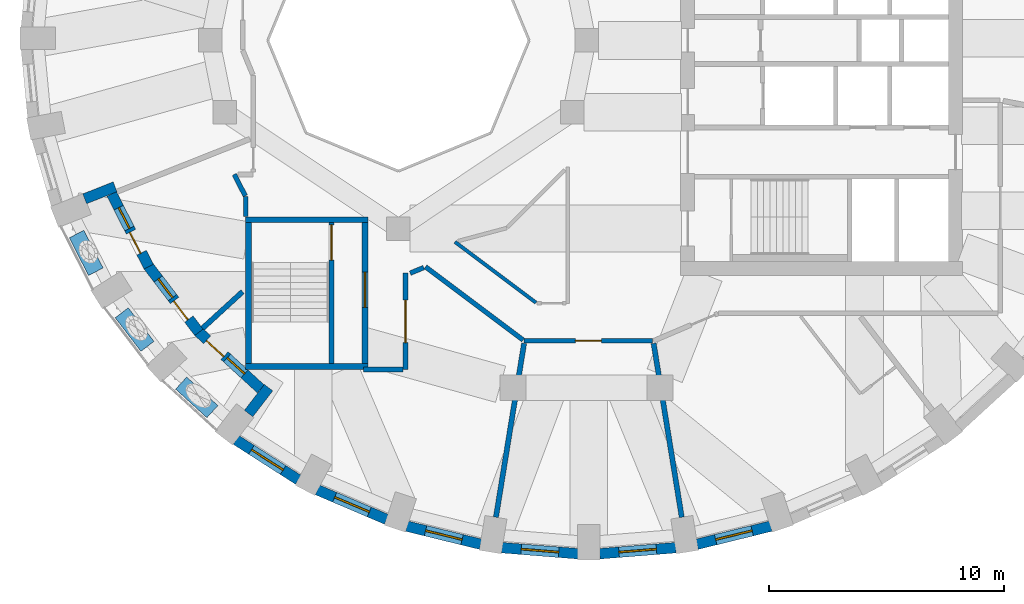
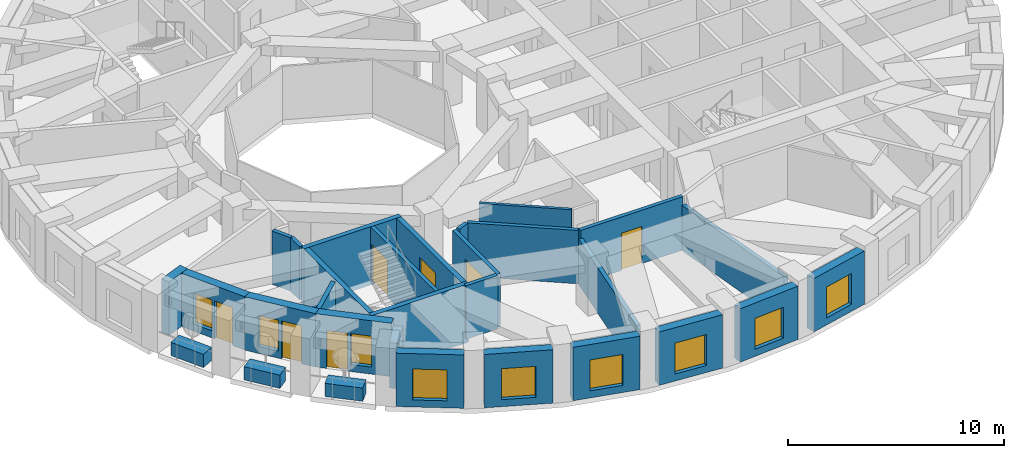
# One storey, part 3 of 11: 30 walls, 9 windows, 7 doors, 16 openings.
"""IFC4 building model written with IfcOpenShell, lengths in metres."""

from ifc_helpers import new_model, si_unit, direction, frame, frame_2d, origin, place, context, subcontext, project, spatial, rectangle, extrude, material, layer, layer_set, constituent, constituent_set, type_object, element, fill, save


model = new_model("IFC4")

# Units and contexts
model_context = context("Model", 3, precision=1e-05, world=origin(), true_north=direction((0.0, 1.0)))
body_context = subcontext(model_context, "Body", "Model", "MODEL_VIEW")
ifc_project = project(units=[si_unit("LENGTHUNIT", "METRE"), si_unit("AREAUNIT", "SQUARE_METRE"), si_unit("VOLUMEUNIT", "CUBIC_METRE"), si_unit("PLANEANGLEUNIT", "RADIAN"), si_unit("MASSUNIT", "GRAM", prefix="KILO")], contexts=[model_context])

# Site, building, storey
site_placement = place(None, origin())
site = spatial("IfcSite", under=ifc_project, at=site_placement, CompositionType="ELEMENT")
building_placement = place(site_placement, origin())
building = spatial("IfcBuilding", under=site, at=building_placement, Name="Taillehof Tower", CompositionType="ELEMENT")
storey_placement = place(building_placement, frame((0.0, 0.0, 174.800048828125)))
storey = spatial("IfcBuildingStorey", under=building, at=storey_placement, Name="L49", CompositionType="ELEMENT", Elevation=174.800048828125)

# Wall, opening, window
ifc_material_1 = material(Name="Brick masonry", Category="masonry")
ifc_layer_1 = layer(ifc_material_1, 0.449951171875)
ifc_layer_set_1 = layer_set([ifc_layer_1], Name="Brick infill wall 450")
wall_type_1 = type_object("IfcWallType", Name="Brick infill wall 450", PredefinedType="SOLIDWALL", material=ifc_layer_set_1)
wall_1_placement = place(storey_placement, frame((-14.908447265625, -16.993408203125, 0.0), z_axis=(0.0, 0.0, 1.0), x_axis=(0.842065914439, -0.539374633943, 0.0)))
wall_1 = element("IfcWall", 1, at=wall_1_placement, inside=storey, type_object=wall_type_1, Name="Brick wall L49 bay 24", PredefinedType="SOLIDWALL", context=body_context, shape_type="SweptSolid", body=[
    extrude(rectangle(XDim=3.1513671875, YDim=0.449951171875, at=frame_2d((1.57568359375, 0.0))), origin(), (0.0, 0.0, 1.0), 3.02001953125),
])
opening_1_placement = place(wall_1_placement, frame((0.775634765625, 0.0, 0.39990234375)))
opening_1 = element("IfcOpeningElement", 2, at=opening_1_placement, cuts=wall_1, Name="Opening W3", PredefinedType="OPENING", context=body_context, shape_type="SweptSolid", body=[
    extrude(rectangle(XDim=1.60009765625, YDim=1.75, at=frame_2d((0.800048828125, 0.875))), frame((0.0, 0.23486328125, 0.0), z_axis=(0.0, -1.0, 0.0), x_axis=(1.0, 0.0, 0.0)), (0.0, 0.0, 1.0), 0.469970703125),
])
ifc_material_2 = material(Name="Aluminium window frame with clear double glazing", Category="aluminium")
window_type_1 = type_object("IfcWindowType", Name="Deep-set window 1600x1750", PartitioningType="SINGLE_PANEL", PredefinedType="WINDOW", material=ifc_material_2)
window_1_placement = place(opening_1_placement, origin())
window_1 = element("IfcWindow", 3, at=window_1_placement, inside=storey, type_object=window_type_1, Name="W3", OverallHeight=1.75, OverallWidth=1.60009765625, PartitioningType="SINGLE_PANEL", PredefinedType="WINDOW", context=body_context, shape_type="SweptSolid", body=[
    extrude(rectangle(XDim=1.60009765625, YDim=1.75, at=frame_2d((0.800048828125, 0.875))), frame((0.0, 0.034912109375, 0.0), z_axis=(0.0, -1.0, 0.0), x_axis=(1.0, 0.0, 0.0)), (0.0, 0.0, 1.0), 0.06005859375),
])
fill(opening_1, window_1)

wall_2_placement = place(storey_placement, frame((-11.4501953125, -19.11865234375, 0.0), z_axis=(0.0, 0.0, 1.0), x_axis=(0.919798725687, -0.392390499663, 0.0)))
wall_2 = element("IfcWall", 4, at=wall_2_placement, inside=storey, type_object=wall_type_1, Name="Brick wall L49 bay 25", PredefinedType="SOLIDWALL", context=body_context, shape_type="SweptSolid", body=[
    extrude(rectangle(XDim=3.200439453125, YDim=0.449951171875, at=frame_2d((1.60009765625, 0.0))), origin(), (0.0, 0.0, 1.0), 3.02001953125),
])
opening_2_placement = place(wall_2_placement, frame((0.80029296875, 0.0, 0.39990234375)))
opening_2 = element("IfcOpeningElement", 5, at=opening_2_placement, cuts=wall_2, Name="Opening W3", PredefinedType="OPENING", context=body_context, shape_type="SweptSolid", body=[
    extrude(rectangle(XDim=1.60009765625, YDim=1.75, at=frame_2d((0.800048828125, 0.875))), frame((0.0, 0.23486328125, 0.0), z_axis=(0.0, -1.0, 0.0), x_axis=(1.0, 0.0, 0.0)), (0.0, 0.0, 1.0), 0.469970703125),
])
window_2_placement = place(opening_2_placement, origin())
window_2 = element("IfcWindow", 6, at=window_2_placement, inside=storey, type_object=window_type_1, Name="W3", OverallHeight=1.75, OverallWidth=1.60009765625, PartitioningType="SINGLE_PANEL", PredefinedType="WINDOW", context=body_context, shape_type="SweptSolid", body=[
    extrude(rectangle(XDim=1.60009765625, YDim=1.75, at=frame_2d((0.800048828125, 0.875))), frame((0.0, 0.034912109375, 0.0), z_axis=(0.0, -1.0, 0.0), x_axis=(1.0, 0.0, 0.0)), (0.0, 0.0, 1.0), 0.06005859375),
])
fill(opening_2, window_2)

wall_3_placement = place(storey_placement, frame((-7.642822265625, -20.662353515625, 0.0), z_axis=(0.0, 0.0, 1.0), x_axis=(0.971232901476, -0.238131583563, 0.0)))
wall_3 = element("IfcWall", 7, at=wall_3_placement, inside=storey, type_object=wall_type_1, Name="Brick wall L49 bay 26", PredefinedType="SOLIDWALL", context=body_context, shape_type="SweptSolid", body=[
    extrude(rectangle(XDim=3.236572265625, YDim=0.449951171875, at=frame_2d((1.6181640625, 0.0))), origin(), (0.0, 0.0, 1.0), 3.02001953125),
])
opening_3_placement = place(wall_3_placement, frame((0.818359375, 0.0, 0.39990234375)))
opening_3 = element("IfcOpeningElement", 8, at=opening_3_placement, cuts=wall_3, Name="Opening W3", PredefinedType="OPENING", context=body_context, shape_type="SweptSolid", body=[
    extrude(rectangle(XDim=1.60009765625, YDim=1.75, at=frame_2d((0.800048828125, 0.875))), frame((0.0, 0.23486328125, 0.0), z_axis=(0.0, -1.0, 0.0), x_axis=(1.0, 0.0, 0.0)), (0.0, 0.0, 1.0), 0.469970703125),
])
window_3_placement = place(opening_3_placement, origin())
window_3 = element("IfcWindow", 9, at=window_3_placement, inside=storey, type_object=window_type_1, Name="W3", OverallHeight=1.75, OverallWidth=1.60009765625, PartitioningType="SINGLE_PANEL", PredefinedType="WINDOW", context=body_context, shape_type="SweptSolid", body=[
    extrude(rectangle(XDim=1.60009765625, YDim=1.75, at=frame_2d((0.800048828125, 0.875))), frame((0.0, 0.034912109375, 0.0), z_axis=(0.0, -1.0, 0.0), x_axis=(1.0, 0.0, 0.0)), (0.0, 0.0, 1.0), 0.06005859375),
])
fill(opening_3, window_3)

wall_4_placement = place(storey_placement, frame((-3.6005859375, -21.578125, 0.0), z_axis=(0.0, 0.0, 1.0), x_axis=(0.996812416891, -0.079780984773, 0.0)))
wall_4 = element("IfcWall", 10, at=wall_4_placement, inside=storey, type_object=wall_type_1, Name="Brick wall L49 bay 27", PredefinedType="SOLIDWALL", context=body_context, shape_type="SweptSolid", body=[
    extrude(rectangle(XDim=3.256103515625, YDim=0.449951171875, at=frame_2d((1.6279296875, 0.0))), origin(), (0.0, 0.0, 1.0), 3.02001953125),
])
opening_4_placement = place(wall_4_placement, frame((0.827880859375, 0.0, 0.39990234375)))
opening_4 = element("IfcOpeningElement", 11, at=opening_4_placement, cuts=wall_4, Name="Opening W3", PredefinedType="OPENING", context=body_context, shape_type="SweptSolid", body=[
    extrude(rectangle(XDim=1.60009765625, YDim=1.75, at=frame_2d((0.800048828125, 0.875))), frame((0.0, 0.23486328125, 0.0), z_axis=(0.0, -1.0, 0.0), x_axis=(1.0, 0.0, 0.0)), (0.0, 0.0, 1.0), 0.469970703125),
])
window_4_placement = place(opening_4_placement, origin())
window_4 = element("IfcWindow", 12, at=window_4_placement, inside=storey, type_object=window_type_1, Name="W3", OverallHeight=1.75, OverallWidth=1.60009765625, PartitioningType="SINGLE_PANEL", PredefinedType="WINDOW", context=body_context, shape_type="SweptSolid", body=[
    extrude(rectangle(XDim=1.60009765625, YDim=1.75, at=frame_2d((0.800048828125, 0.875))), frame((0.0, 0.034912109375, 0.0), z_axis=(0.0, -1.0, 0.0), x_axis=(1.0, 0.0, 0.0)), (0.0, 0.0, 1.0), 0.06005859375),
])
fill(opening_4, window_4)

wall_5_placement = place(storey_placement, frame((0.55517578125, -21.837890625, 0.0), z_axis=(0.0, 0.0, 1.0), x_axis=(0.996812416891, 0.079780984773, 0.0)))
wall_5 = element("IfcWall", 13, at=wall_5_placement, inside=storey, type_object=wall_type_1, Name="Brick wall L49 bay 28", PredefinedType="SOLIDWALL", context=body_context, shape_type="SweptSolid", body=[
    extrude(rectangle(XDim=3.256103515625, YDim=0.449951171875, at=frame_2d((1.6279296875, 0.0))), origin(), (0.0, 0.0, 1.0), 3.02001953125),
])
opening_5_placement = place(wall_5_placement, frame((0.827880859375, 0.0, 0.39990234375)))
opening_5 = element("IfcOpeningElement", 14, at=opening_5_placement, cuts=wall_5, Name="Opening W3", PredefinedType="OPENING", context=body_context, shape_type="SweptSolid", body=[
    extrude(rectangle(XDim=1.60009765625, YDim=1.75, at=frame_2d((0.800048828125, 0.875))), frame((0.0, 0.23486328125, 0.0), z_axis=(0.0, -1.0, 0.0), x_axis=(1.0, 0.0, 0.0)), (0.0, 0.0, 1.0), 0.469970703125),
])
window_5_placement = place(opening_5_placement, origin())
window_5 = element("IfcWindow", 15, at=window_5_placement, inside=storey, type_object=window_type_1, Name="W3", OverallHeight=1.75, OverallWidth=1.60009765625, PartitioningType="SINGLE_PANEL", PredefinedType="WINDOW", context=body_context, shape_type="SweptSolid", body=[
    extrude(rectangle(XDim=1.60009765625, YDim=1.75, at=frame_2d((0.800048828125, 0.875))), frame((0.0, 0.034912109375, 0.0), z_axis=(0.0, -1.0, 0.0), x_axis=(1.0, 0.0, 0.0)), (0.0, 0.0, 1.0), 0.06005859375),
])
fill(opening_5, window_5)

wall_6_placement = place(storey_placement, frame((4.69921875, -21.43310546875, 0.0), z_axis=(0.0, 0.0, 1.0), x_axis=(0.971237178372, 0.238114139328, 0.0)))
wall_6 = element("IfcWall", 16, at=wall_6_placement, inside=storey, type_object=wall_type_1, Name="Brick wall L49 bay 29", PredefinedType="SOLIDWALL", context=body_context, shape_type="SweptSolid", body=[
    extrude(rectangle(XDim=3.23681640625, YDim=0.449951171875, at=frame_2d((1.618408203125, 0.0))), origin(), (0.0, 0.0, 1.0), 3.02001953125),
])
opening_6_placement = place(wall_6_placement, frame((0.818359375, 0.0, 0.39990234375)))
opening_6 = element("IfcOpeningElement", 17, at=opening_6_placement, cuts=wall_6, Name="Opening W3", PredefinedType="OPENING", context=body_context, shape_type="SweptSolid", body=[
    extrude(rectangle(XDim=1.60009765625, YDim=1.75, at=frame_2d((0.800048828125, 0.875))), frame((0.0, 0.23486328125, 0.0), z_axis=(0.0, -1.0, 0.0), x_axis=(1.0, 0.0, 0.0)), (0.0, 0.0, 1.0), 0.469970703125),
])
window_6_placement = place(opening_6_placement, origin())
window_6 = element("IfcWindow", 18, at=window_6_placement, inside=storey, type_object=window_type_1, Name="W3", OverallHeight=1.75, OverallWidth=1.60009765625, PartitioningType="SINGLE_PANEL", PredefinedType="WINDOW", context=body_context, shape_type="SweptSolid", body=[
    extrude(rectangle(XDim=1.60009765625, YDim=1.75, at=frame_2d((0.800048828125, 0.875))), frame((0.0, 0.034912109375, 0.0), z_axis=(0.0, -1.0, 0.0), x_axis=(1.0, 0.0, 0.0)), (0.0, 0.0, 1.0), 0.06005859375),
])
fill(opening_6, window_6)

# Walls
wall_7_placement = place(storey_placement, frame((-21.34814453125, -6.738037109375, 0.0), z_axis=(0.0, 0.0, 1.0), x_axis=(0.929514600716, 0.368785312961, 0.0)))
element("IfcWall", 19, at=wall_7_placement, inside=storey, type_object=wall_type_1, Name="Brick reveal L49 pocket 6", PredefinedType="SOLIDWALL", context=body_context, shape_type="SweptSolid", body=[
    extrude(rectangle(XDim=1.39013671875, YDim=0.449951171875, at=frame_2d((0.695068359375, 0.0))), origin(), (0.0, 0.0, 1.0), 3.02001953125),
])
wall_8_placement = place(storey_placement, frame((-14.374755859375, -15.87109375, 0.0), z_axis=(0.0, 0.0, 1.0), x_axis=(0.609982261713, 0.792415068253, 0.0)))
element("IfcWall", 20, at=wall_8_placement, inside=storey, type_object=wall_type_1, Name="Brick reveal L49 pocket 6", PredefinedType="SOLIDWALL", context=body_context, shape_type="SweptSolid", body=[
    extrude(rectangle(XDim=1.390380859375, YDim=0.449951171875, at=frame_2d((0.6953125, 0.0))), origin(), (0.0, 0.0, 1.0), 2.570068359375),
])

# Wall, openings, door, window
wall_9_placement = place(storey_placement, frame((-20.19970703125, -6.5244140625, 0.0), z_axis=(0.0, 0.0, 1.0), x_axis=(0.453222057065, -0.891397648073, 0.0)))
wall_9 = element("IfcWall", 21, at=wall_9_placement, inside=storey, type_object=wall_type_1, Name="Brick wall L49 pocket bay 21", PredefinedType="SOLIDWALL", context=body_context, shape_type="SweptSolid", body=[
    extrude(rectangle(XDim=3.472412109375, YDim=0.449951171875, at=frame_2d((1.736328125, 0.0))), origin(), (0.0, 0.0, 1.0), 3.02001953125),
])
opening_7_placement = place(wall_9_placement, frame((0.6611328125, 0.0, 0.39990234375)))
opening_7 = element("IfcOpeningElement", 22, at=opening_7_placement, cuts=wall_9, Name="Opening W5", PredefinedType="OPENING", context=body_context, shape_type="SweptSolid", body=[
    extrude(rectangle(XDim=1.0, YDim=1.75, at=frame_2d((0.5, 0.875))), frame((0.0, 0.23486328125, 0.0), z_axis=(0.0, -1.0, 0.0), x_axis=(1.0, 0.0, 0.0)), (0.0, 0.0, 1.0), 0.469970703125),
])
opening_8_placement = place(wall_9_placement, frame((1.811279296875, 0.0, 0.0)))
opening_8 = element("IfcOpeningElement", 23, at=opening_8_placement, cuts=wall_9, Name="Opening D4991", PredefinedType="OPENING", context=body_context, shape_type="SweptSolid", body=[
    extrude(rectangle(XDim=1.0, YDim=2.14990234375, at=frame_2d((0.5, 1.074951171875))), frame((0.0, 0.23486328125, 0.0), z_axis=(0.0, -1.0, 0.0), x_axis=(1.0, 0.0, 0.0)), (0.0, 0.0, 1.0), 0.469970703125),
])
ifc_material_3 = material(Name="Aluminium door frame with clear double glazing", Category="aluminium")
door_type_1 = type_object("IfcDoorType", Name="Balcony door 1000x2150", OperationType="SINGLE_SWING_RIGHT", PredefinedType="DOOR", material=ifc_material_3)
door_1_placement = place(opening_8_placement, frame((1.0, 0.0, 0.0), z_axis=(0.0, 0.0, 1.0), x_axis=(-1.0, 0.0, 0.0)))
door_1 = element("IfcDoor", 24, at=door_1_placement, inside=storey, type_object=door_type_1, Name="Balcony door L49 bay 21", OperationType="SINGLE_SWING_RIGHT", OverallHeight=2.14990234375, OverallWidth=1.0, PredefinedType="DOOR", context=body_context, shape_type="SweptSolid", body=[
    extrude(rectangle(XDim=1.0, YDim=2.14990234375, at=frame_2d((0.5, 1.074951171875))), frame((0.0, 0.0751953125, 0.0), z_axis=(0.0, -1.0, 0.0), x_axis=(1.0, 0.0, 0.0)), (0.0, 0.0, 1.0), 0.050048828125),
])
fill(opening_8, door_1)
ifc_material_4 = material(Name="Aluminium window frame with clear double glazing", Category="aluminium")
window_type_2 = type_object("IfcWindowType", Name="Fixed window 1000x1750", PartitioningType="SINGLE_PANEL", PredefinedType="WINDOW", material=ifc_material_4)
window_7_placement = place(opening_7_placement, origin())
window_7 = element("IfcWindow", 25, at=window_7_placement, inside=storey, type_object=window_type_2, Name="W5", OverallHeight=1.75, OverallWidth=1.0, PartitioningType="SINGLE_PANEL", PredefinedType="WINDOW", context=body_context, shape_type="SweptSolid", body=[
    extrude(rectangle(XDim=1.0, YDim=1.75, at=frame_2d((0.5, 0.875))), frame((0.0, 0.034912109375, 0.0), z_axis=(0.0, -1.0, 0.0), x_axis=(1.0, 0.0, 0.0)), (0.0, 0.0, 1.0), 0.06005859375),
])
fill(opening_7, window_7)

wall_10_placement = place(storey_placement, frame((-18.647705078125, -9.585205078125, 0.0), z_axis=(0.0, 0.0, 1.0), x_axis=(0.606795400684, -0.794858063876, 0.0)))
wall_10 = element("IfcWall", 26, at=wall_10_placement, inside=storey, type_object=wall_type_1, Name="Brick wall L49 pocket bay 22", PredefinedType="SOLIDWALL", context=body_context, shape_type="SweptSolid", body=[
    extrude(rectangle(XDim=3.558349609375, YDim=0.449951171875, at=frame_2d((1.779296875, 0.0))), origin(), (0.0, 0.0, 1.0), 3.02001953125),
])
opening_9_placement = place(wall_10_placement, frame((0.7041015625, 0.0, 0.39990234375)))
opening_9 = element("IfcOpeningElement", 27, at=opening_9_placement, cuts=wall_10, Name="Opening W5", PredefinedType="OPENING", context=body_context, shape_type="SweptSolid", body=[
    extrude(rectangle(XDim=1.0, YDim=1.75, at=frame_2d((0.5, 0.875))), frame((0.0, 0.23486328125, 0.0), z_axis=(0.0, -1.0, 0.0), x_axis=(1.0, 0.0, 0.0)), (0.0, 0.0, 1.0), 0.469970703125),
])
opening_10_placement = place(wall_10_placement, frame((1.854248046875, 0.0, 0.0)))
opening_10 = element("IfcOpeningElement", 28, at=opening_10_placement, cuts=wall_10, Name="Opening D4992", PredefinedType="OPENING", context=body_context, shape_type="SweptSolid", body=[
    extrude(rectangle(XDim=1.0, YDim=2.14990234375, at=frame_2d((0.5, 1.074951171875))), frame((0.0, 0.23486328125, 0.0), z_axis=(0.0, -1.0, 0.0), x_axis=(1.0, 0.0, 0.0)), (0.0, 0.0, 1.0), 0.469970703125),
])
door_2_placement = place(opening_10_placement, frame((1.0, 0.0, 0.0), z_axis=(0.0, 0.0, 1.0), x_axis=(-1.0, 0.0, 0.0)))
door_2 = element("IfcDoor", 29, at=door_2_placement, inside=storey, type_object=door_type_1, Name="Balcony door L49 bay 22", OperationType="SINGLE_SWING_LEFT", OverallHeight=2.14990234375, OverallWidth=1.0, PredefinedType="DOOR", context=body_context, shape_type="SweptSolid", body=[
    extrude(rectangle(XDim=1.0, YDim=2.14990234375, at=frame_2d((0.5, 1.074951171875))), frame((0.0, 0.0751953125, 0.0), z_axis=(0.0, -1.0, 0.0), x_axis=(1.0, 0.0, 0.0)), (0.0, 0.0, 1.0), 0.050048828125),
])
fill(opening_10, door_2)
window_8_placement = place(opening_9_placement, origin())
window_8 = element("IfcWindow", 30, at=window_8_placement, inside=storey, type_object=window_type_2, Name="W5", OverallHeight=1.75, OverallWidth=1.0, PartitioningType="SINGLE_PANEL", PredefinedType="WINDOW", context=body_context, shape_type="SweptSolid", body=[
    extrude(rectangle(XDim=1.0, YDim=1.75, at=frame_2d((0.5, 0.875))), frame((0.0, 0.034912109375, 0.0), z_axis=(0.0, -1.0, 0.0), x_axis=(1.0, 0.0, 0.0)), (0.0, 0.0, 1.0), 0.06005859375),
])
fill(opening_9, window_8)

wall_11_placement = place(storey_placement, frame((-16.515380859375, -12.38427734375, 0.0), z_axis=(0.0, 0.0, 1.0), x_axis=(0.736968915604, -0.675926636133, 0.0)))
wall_11 = element("IfcWall", 31, at=wall_11_placement, inside=storey, type_object=wall_type_1, Name="Brick wall L49 pocket bay 23", PredefinedType="SOLIDWALL", context=body_context, shape_type="SweptSolid", body=[
    extrude(rectangle(XDim=3.611572265625, YDim=0.449951171875, at=frame_2d((1.8056640625, 0.0))), origin(), (0.0, 0.0, 1.0), 3.02001953125),
])
opening_11_placement = place(wall_11_placement, frame((1.665283203125, 0.0, 0.39990234375)))
opening_11 = element("IfcOpeningElement", 32, at=opening_11_placement, cuts=wall_11, Name="Opening W5", PredefinedType="OPENING", context=body_context, shape_type="SweptSolid", body=[
    extrude(rectangle(XDim=1.0, YDim=1.75, at=frame_2d((0.5, 0.875))), frame((0.0, 0.23486328125, 0.0), z_axis=(0.0, -1.0, 0.0), x_axis=(1.0, 0.0, 0.0)), (0.0, 0.0, 1.0), 0.469970703125),
])
opening_12_placement = place(wall_11_placement, frame((0.515380859375, 0.0, 0.0)))
opening_12 = element("IfcOpeningElement", 33, at=opening_12_placement, cuts=wall_11, Name="Opening D4993", PredefinedType="OPENING", context=body_context, shape_type="SweptSolid", body=[
    extrude(rectangle(XDim=1.0, YDim=2.14990234375, at=frame_2d((0.5, 1.074951171875))), frame((0.0, 0.23486328125, 0.0), z_axis=(0.0, -1.0, 0.0), x_axis=(1.0, 0.0, 0.0)), (0.0, 0.0, 1.0), 0.469970703125),
])
door_3_placement = place(opening_12_placement, origin())
door_3 = element("IfcDoor", 34, at=door_3_placement, inside=storey, type_object=door_type_1, Name="Balcony door L49 bay 23", OperationType="SINGLE_SWING_LEFT", OverallHeight=2.14990234375, OverallWidth=1.0, PredefinedType="DOOR", context=body_context, shape_type="SweptSolid", body=[
    extrude(rectangle(XDim=1.0, YDim=2.14990234375, at=frame_2d((0.5, 1.074951171875))), frame((0.0, -0.02490234375, 0.0), z_axis=(0.0, -1.0, 0.0), x_axis=(1.0, 0.0, 0.0)), (0.0, 0.0, 1.0), 0.050048828125),
])
fill(opening_12, door_3)
window_9_placement = place(opening_11_placement, origin())
window_9 = element("IfcWindow", 35, at=window_9_placement, inside=storey, type_object=window_type_2, Name="W5", OverallHeight=1.75, OverallWidth=1.0, PartitioningType="SINGLE_PANEL", PredefinedType="WINDOW", context=body_context, shape_type="SweptSolid", body=[
    extrude(rectangle(XDim=1.0, YDim=1.75, at=frame_2d((0.5, 0.875))), frame((0.0, 0.034912109375, 0.0), z_axis=(0.0, -1.0, 0.0), x_axis=(1.0, 0.0, 0.0)), (0.0, 0.0, 1.0), 0.06005859375),
])
fill(opening_11, window_9)

# Wall, opening, door
ifc_material_5 = material(Name="Gypsum board on steel studs, two layers each side", Category="steel")
ifc_layer_2 = layer(ifc_material_5, 0.199951171875)
ifc_layer_set_2 = layer_set([ifc_layer_2], Name="Compartment wall corridor 200")
wall_type_2 = type_object("IfcWallType", Name="Compartment wall corridor 200", PredefinedType="PARTITIONING", material=ifc_layer_set_2)
wall_12_placement = place(storey_placement, frame((-7.699951171875, -9.89990234375, 0.0), z_axis=(0.0, 0.0, 1.0), x_axis=(0.0, -1.0, 0.0)))
wall_12 = element("IfcWall", 36, at=wall_12_placement, inside=storey, type_object=wall_type_2, Name="Compartment wall", PredefinedType="PARTITIONING", context=body_context, shape_type="SweptSolid", body=[
    extrude(rectangle(XDim=4.10009765625, YDim=0.199951171875, at=frame_2d((2.050048828125, 0.0))), origin(), (0.0, 0.0, 1.0), 3.02001953125),
])
opening_13_placement = place(wall_12_placement, frame((1.150146484375, 0.0, 0.0)))
opening_13 = element("IfcOpeningElement", 37, at=opening_13_placement, cuts=wall_12, Name="Opening D4948", PredefinedType="OPENING", context=body_context, shape_type="SweptSolid", body=[
    extrude(rectangle(XDim=1.800048828125, YDim=2.10009765625, at=frame_2d((0.89990234375, 1.050048828125))), frame((0.0, 0.10986328125, 0.0), z_axis=(0.0, -1.0, 0.0), x_axis=(1.0, 0.0, 0.0)), (0.0, 0.0, 1.0), 0.219970703125),
])
ifc_material_6 = material(Name="Timber door leaf in steel frame", Category="steel")
door_type_2 = type_object("IfcDoorType", Name="Lounge and meeting room double door EI 30 1800 x 2100", OperationType="SINGLE_SWING_LEFT", PredefinedType="DOOR", material=ifc_material_6)
door_4_placement = place(opening_13_placement, origin())
door_4 = element("IfcDoor", 38, at=door_4_placement, inside=storey, type_object=door_type_2, Name="D4948", OperationType="DOUBLE_DOOR_SINGLE_SWING", OverallHeight=2.10009765625, OverallWidth=1.800048828125, PredefinedType="DOOR", context=body_context, shape_type="SweptSolid", body=[
    extrude(rectangle(XDim=1.800048828125, YDim=2.10009765625, at=frame_2d((0.89990234375, 1.050048828125))), frame((0.0, 0.02490234375, 0.0), z_axis=(0.0, -1.0, 0.0), x_axis=(1.0, 0.0, 0.0)), (0.0, 0.0, 1.0), 0.050048828125),
])
fill(opening_13, door_4)

# Walls
wall_13_placement = place(storey_placement, frame((-7.800048828125, -14.0, 0.0), z_axis=(0.0, 0.0, 1.0), x_axis=(-1.0, 0.0, 0.0)))
element("IfcWall", 39, at=wall_13_placement, inside=storey, type_object=wall_type_2, Name="Compartment wall", PredefinedType="PARTITIONING", context=body_context, shape_type="SweptSolid", body=[
    extrude(rectangle(XDim=1.696044921875, YDim=0.199951171875, at=frame_2d((0.84814453125, 0.0))), origin(), (0.0, 0.0, 1.0), 3.02001953125),
])
wall_14_placement = place(storey_placement, frame((-14.49072265625, -7.49609375, 0.0), z_axis=(0.0, 0.0, 1.0), x_axis=(-0.010931452674, 0.999940249886, 0.0)))
element("IfcWall", 40, at=wall_14_placement, inside=storey, type_object=wall_type_2, Name="Compartment wall", PredefinedType="PARTITIONING", context=body_context, shape_type="SweptSolid", body=[
    extrude(rectangle(XDim=0.8486328125, YDim=0.199951171875, at=frame_2d((0.42431640625, 0.0))), origin(), (0.0, 0.0, 1.0), 3.02001953125),
])
wall_15_placement = place(storey_placement, frame((-14.51806640625, -6.61181640625, 0.0), z_axis=(0.0, 0.0, 1.0), x_axis=(-0.45321774915, 0.891399838375, 0.0)))
element("IfcWall", 41, at=wall_15_placement, inside=storey, type_object=wall_type_2, Name="Compartment wall", PredefinedType="PARTITIONING", context=body_context, shape_type="SweptSolid", body=[
    extrude(rectangle(XDim=1.02294921875, YDim=0.199951171875, at=frame_2d((0.511474609375, 0.0))), origin(), (0.0, 0.0, 1.0), 3.02001953125),
])

# Wall, opening, door
wall_16_placement = place(storey_placement, frame((2.80908203125, -12.779541015625, 0.0), z_axis=(0.0, 0.0, 1.0), x_axis=(-1.0, 0.0, 0.0)))
wall_16 = element("IfcWall", 42, at=wall_16_placement, inside=storey, type_object=wall_type_2, Name="Compartment wall", PredefinedType="PARTITIONING", context=body_context, shape_type="SweptSolid", body=[
    extrude(rectangle(XDim=5.458251953125, YDim=0.199951171875, at=frame_2d((2.72900390625, 0.0))), origin(), (0.0, 0.0, 1.0), 3.02001953125),
])
opening_14_placement = place(wall_16_placement, frame((2.1787109375, 0.0, 0.0)))
opening_14 = element("IfcOpeningElement", 43, at=opening_14_placement, cuts=wall_16, Name="Opening D4949", PredefinedType="OPENING", context=body_context, shape_type="SweptSolid", body=[
    extrude(rectangle(XDim=1.10009765625, YDim=2.10009765625, at=frame_2d((0.550048828125, 1.050048828125))), frame((0.0, 0.10986328125, 0.0), z_axis=(0.0, -1.0, 0.0), x_axis=(1.0, 0.0, 0.0)), (0.0, 0.0, 1.0), 0.219970703125),
])
ifc_material_7 = material(Name="Timber door leaf in steel frame", Category="steel")
door_type_3 = type_object("IfcDoorType", Name="Suite entrance door EI 30 1100 x 2100", OperationType="SINGLE_SWING_LEFT", PredefinedType="DOOR", material=ifc_material_7)
door_5_placement = place(opening_14_placement, origin())
door_5 = element("IfcDoor", 44, at=door_5_placement, inside=storey, type_object=door_type_3, Name="D4949", OperationType="SINGLE_SWING_RIGHT", OverallHeight=2.10009765625, OverallWidth=1.10009765625, PredefinedType="DOOR", context=body_context, shape_type="SweptSolid", body=[
    extrude(rectangle(XDim=1.10009765625, YDim=2.10009765625, at=frame_2d((0.550048828125, 1.050048828125))), frame((0.0, 0.02490234375, 0.0), z_axis=(0.0, -1.0, 0.0), x_axis=(1.0, 0.0, 0.0)), (0.0, 0.0, 1.0), 0.050048828125),
])
fill(opening_14, door_5)

# Walls
wall_17_placement = place(storey_placement, frame((-2.697509765625, -12.74365234375, 0.0), z_axis=(0.0, 0.0, 1.0), x_axis=(-0.800208812098, 0.59972148289, 0.0)))
element("IfcWall", 45, at=wall_17_placement, inside=storey, type_object=wall_type_2, Name="Compartment wall", PredefinedType="PARTITIONING", context=body_context, shape_type="SweptSolid", body=[
    extrude(rectangle(XDim=5.18994140625, YDim=0.199951171875, at=frame_2d((2.594970703125, 0.0))), origin(), (0.0, 0.0, 1.0), 3.02001953125),
])
wall_18_placement = place(storey_placement, frame((-6.9248046875, -9.661376953125, 0.0), z_axis=(0.0, 0.0, 1.0), x_axis=(-0.923725195793, -0.383055821855, 0.0)))
element("IfcWall", 46, at=wall_18_placement, inside=storey, type_object=wall_type_2, Name="Compartment wall", PredefinedType="PARTITIONING", context=body_context, shape_type="SweptSolid", body=[
    extrude(rectangle(XDim=0.622802734375, YDim=0.199951171875, at=frame_2d((0.3115234375, 0.0))), origin(), (0.0, 0.0, 1.0), 3.02001953125),
])
ifc_material_8 = material(Name="Gypsum board on double steel studs with mineral wool", Category="steel")
ifc_layer_3 = layer(ifc_material_8, 0.219970703125)
ifc_layer_set_3 = layer_set([ifc_layer_3], Name="Compartment wall guest room 220")
wall_type_3 = type_object("IfcWallType", Name="Compartment wall guest room 220", PredefinedType="PARTITIONING", material=ifc_layer_set_3)
wall_19_placement = place(storey_placement, frame((-16.333984375, -12.2451171875, 0.0), z_axis=(0.0, 0.0, 1.0), x_axis=(0.737917457379, 0.674890973487, 0.0)))
element("IfcWall", 47, at=wall_19_placement, inside=storey, type_object=wall_type_3, Name="Compartment wall", PredefinedType="PARTITIONING", context=body_context, shape_type="SweptSolid", body=[
    extrude(rectangle(XDim=2.30859375, YDim=0.219970703125, at=frame_2d((1.154296875, 0.0))), origin(), (0.0, 0.0, 1.0), 3.02001953125),
])
for number, where, z_axis, x_axis, name in (
    (48, (-3.852294921875, -20.28369140625, 0.0), (0.0, 0.0, 1.0), (0.159690244465, 0.987167172176, 0.0), "Compartment wall"),
    (49, (4.05224609375, -20.28369140625, 0.0), (0.0, 0.0, 1.0), (-0.159690244465, 0.987167172176, 0.0), "Compartment wall"),
):
    element("IfcWall", number, at=place(storey_placement, frame(where, z_axis=z_axis, x_axis=x_axis)), inside=storey, type_object=wall_type_3, Name=name, PredefinedType="PARTITIONING", context=body_context, shape_type="SweptSolid", body=[
        extrude(rectangle(XDim=7.494384765625, YDim=0.219970703125, at=frame_2d((3.7470703125, 0.0))), origin(), (0.0, 0.0, 1.0), 2.570068359375),
    ])
ifc_material_9 = material(Name="Gypsum board on steel studs, two layers each side", Category="steel")
ifc_layer_4 = layer(ifc_material_9, 0.14990234375)
ifc_layer_set_4 = layer_set([ifc_layer_4], Name="Compartment wall service room 150")
wall_type_4 = type_object("IfcWallType", Name="Compartment wall service room 150", PredefinedType="PARTITIONING", material=ifc_layer_set_4)
wall_20_placement = place(storey_placement, frame((-2.1484375, -11.155517578125, 0.0), z_axis=(0.0, 0.0, 1.0), x_axis=(-0.800210636755, 0.599719048241, 0.0)))
element("IfcWall", 50, at=wall_20_placement, inside=storey, type_object=wall_type_4, Name="Compartment wall", PredefinedType="PARTITIONING", context=body_context, shape_type="SweptSolid", body=[
    extrude(rectangle(XDim=4.310791015625, YDim=0.14990234375, at=frame_2d((2.1552734375, 0.0))), origin(), (0.0, 0.0, 1.0), 3.02001953125),
])
ifc_material_10 = material(Name="Concrete C30/37 precast", Category="concrete")
ifc_constituent_1 = constituent(ifc_material_10, Name="Structure", Category="concrete")
ifc_material_11 = material(Name="Insulated lining")
ifc_constituent_2 = constituent(ifc_material_11, Name="Lining")
ifc_constituent_set = constituent_set(constituents=[ifc_constituent_1, ifc_constituent_2], Name="Planter trough 700x750")
wall_type_5 = type_object("IfcWallType", Name="Planter trough 700x750", PredefinedType="USERDEFINED", material=ifc_constituent_set)
for number, where, z_axis, x_axis, name in (
    (51, (-21.692138671875, -8.2353515625, 0.0), (0.0, 0.0, 1.0), (0.454090347167, -0.890955642336, 0.0), "Planter L49 bay 21"),
    (52, (-19.77197265625, -11.584716796875, 0.0), (0.0, 0.0, 1.0), (0.607762189494, -0.794119084912, 0.0), "Planter L49 bay 22"),
    (53, (-17.24365234375, -14.576416015625, 0.0), (0.0, 0.0, 1.0), (0.737874397391, -0.674938051731, 0.0), "Planter L49 bay 23"),
):
    element("IfcWall", number, at=place(storey_placement, frame(where, z_axis=z_axis, x_axis=x_axis)), inside=storey, type_object=wall_type_5, Name=name, ObjectType="PLANTER", PredefinedType="USERDEFINED", context=body_context, shape_type="SweptSolid", body=[
        extrude(rectangle(XDim=1.800048828125, YDim=0.699951171875, at=frame_2d((0.89990234375, 0.0))), origin(), (0.0, 0.0, 1.0), 0.75),
    ])

# Wall, opening, door
ifc_material_12 = material(Name="Concrete C50/60", Category="concrete")
ifc_layer_5 = layer(ifc_material_12, 0.199951171875)
ifc_layer_set_5 = layer_set([ifc_layer_5], Name="Shaft wall C50/60 200")
wall_type_6 = type_object("IfcWallType", Name="Shaft wall C50/60 200", PredefinedType="SHEAR", material=ifc_layer_set_5)
wall_21_placement = place(storey_placement, frame((-10.85009765625, -13.75, 0.0), z_axis=(0.0, 0.0, 1.0), x_axis=(0.0, 1.0, 0.0)))
wall_21 = element("IfcWall", 54, at=wall_21_placement, inside=storey, type_object=wall_type_6, Name="Shaft wall SW", PredefinedType="SHEAR", context=body_context, shape_type="SweptSolid", body=[
    extrude(rectangle(XDim=6.0, YDim=0.199951171875, at=frame_2d((3.0, 0.0))), origin(), (0.0, 0.0, 1.0), 3.02001953125),
])
opening_15_placement = place(wall_21_placement, frame((4.39990234375, 0.0, 0.0)))
opening_15 = element("IfcOpeningElement", 55, at=opening_15_placement, cuts=wall_21, Name="Opening D4913", PredefinedType="OPENING", context=body_context, shape_type="SweptSolid", body=[
    extrude(rectangle(XDim=1.5, YDim=2.10009765625, at=frame_2d((0.75, 1.050048828125))), frame((0.0, 0.10986328125, 0.0), z_axis=(0.0, -1.0, 0.0), x_axis=(1.0, 0.0, 0.0)), (0.0, 0.0, 1.0), 0.219970703125),
])
ifc_material_13 = material(Name="Steel-faced fire door", Category="steel")
door_type_4 = type_object("IfcDoorType", Name="Stair door 1500x2100", OperationType="DOUBLE_DOOR_SINGLE_SWING", PredefinedType="DOOR", material=ifc_material_13)
door_6_placement = place(opening_15_placement, origin())
door_6 = element("IfcDoor", 56, at=door_6_placement, inside=storey, type_object=door_type_4, Name="Stair lobby door S4", OperationType="DOUBLE_DOOR_SINGLE_SWING", OverallHeight=2.10009765625, OverallWidth=1.5, PredefinedType="DOOR", context=body_context, shape_type="SweptSolid", body=[
    extrude(rectangle(XDim=1.5, YDim=2.10009765625, at=frame_2d((0.75, 1.050048828125))), frame((0.0, 0.02490234375, 0.0), z_axis=(0.0, -1.0, 0.0), x_axis=(1.0, 0.0, 0.0)), (0.0, 0.0, 1.0), 0.050048828125),
])
fill(opening_15, door_6)

# Wall
ifc_material_14 = material(Name="Concrete C50/60", Category="concrete")
ifc_layer_6 = layer(ifc_material_14, 0.25)
ifc_layer_set_6 = layer_set([ifc_layer_6], Name="Stair wall C50/60 250")
wall_type_7 = type_object("IfcWallType", Name="Stair wall C50/60 250", PredefinedType="SHEAR", material=ifc_layer_set_6)
wall_22_placement = place(storey_placement, frame((-14.375, -13.75, -0.280029296875), z_axis=(0.0, 0.0, 1.0), x_axis=(0.0, 1.0, 0.0)))
element("IfcWall", 57, at=wall_22_placement, inside=storey, type_object=wall_type_7, Name="Stair wall SC", PredefinedType="SHEAR", context=body_context, shape_type="SweptSolid", body=[
    extrude(rectangle(XDim=6.0, YDim=0.25, at=frame_2d((3.0, 0.0))), origin(), (0.0, 0.0, 1.0), 3.300048828125),
])

# Wall, opening, door
wall_23_placement = place(storey_placement, frame((-9.425048828125, -13.75, -0.280029296875), z_axis=(0.0, 0.0, 1.0), x_axis=(0.0, 1.0, 0.0)))
wall_23 = element("IfcWall", 58, at=wall_23_placement, inside=storey, type_object=wall_type_7, Name="Stair wall SC", PredefinedType="SHEAR", context=body_context, shape_type="SweptSolid", body=[
    extrude(rectangle(XDim=6.0, YDim=0.25, at=frame_2d((3.0, 0.0))), origin(), (0.0, 0.0, 1.0), 3.300048828125),
])
opening_16_placement = place(wall_23_placement, frame((2.39990234375, 0.0, 0.280029296875)))
opening_16 = element("IfcOpeningElement", 59, at=opening_16_placement, cuts=wall_23, Name="Opening D4916", PredefinedType="OPENING", context=body_context, shape_type="SweptSolid", body=[
    extrude(rectangle(XDim=1.5, YDim=2.10009765625, at=frame_2d((0.75, 1.050048828125))), frame((0.0, 0.135009765625, 0.0), z_axis=(0.0, -1.0, 0.0), x_axis=(1.0, 0.0, 0.0)), (0.0, 0.0, 1.0), 0.27001953125),
])
door_7_placement = place(opening_16_placement, origin())
door_7 = element("IfcDoor", 60, at=door_7_placement, inside=storey, type_object=door_type_4, Name="Stair door S4", OperationType="DOUBLE_DOOR_SINGLE_SWING", OverallHeight=2.10009765625, OverallWidth=1.5, PredefinedType="DOOR", context=body_context, shape_type="SweptSolid", body=[
    extrude(rectangle(XDim=1.5, YDim=2.10009765625, at=frame_2d((0.75, 1.050048828125))), frame((0.0, 0.02490234375, 0.0), z_axis=(0.0, -1.0, 0.0), x_axis=(1.0, 0.0, 0.0)), (0.0, 0.0, 1.0), 0.050048828125),
])
fill(opening_16, door_7)

# Walls
for number, where, z_axis, x_axis, name in (
    (61, (-14.5, -7.625, -0.280029296875), (0.0, 0.0, 1.0), (1.0, 0.0, 0.0), "Stair wall SC"),
    (62, (-14.5, -13.875, -0.280029296875), (0.0, 0.0, 1.0), (1.0, 0.0, 0.0), "Stair wall SC"),
):
    element("IfcWall", number, at=place(storey_placement, frame(where, z_axis=z_axis, x_axis=x_axis)), inside=storey, type_object=wall_type_7, Name=name, PredefinedType="SHEAR", context=body_context, shape_type="SweptSolid", body=[
        extrude(rectangle(XDim=5.199951171875, YDim=0.25, at=frame_2d((2.60009765625, 0.0))), origin(), (0.0, 0.0, 1.0), 3.300048828125),
    ])

save(model, "model.ifc")
